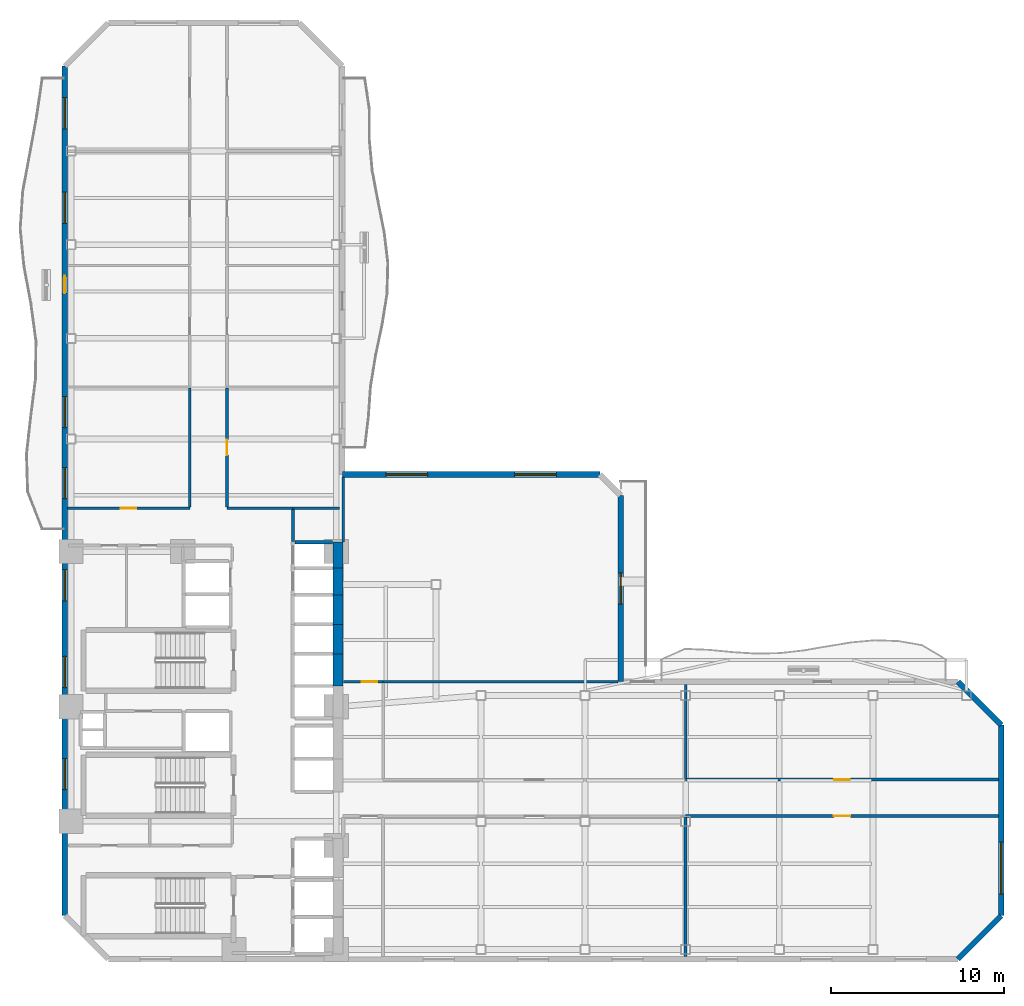
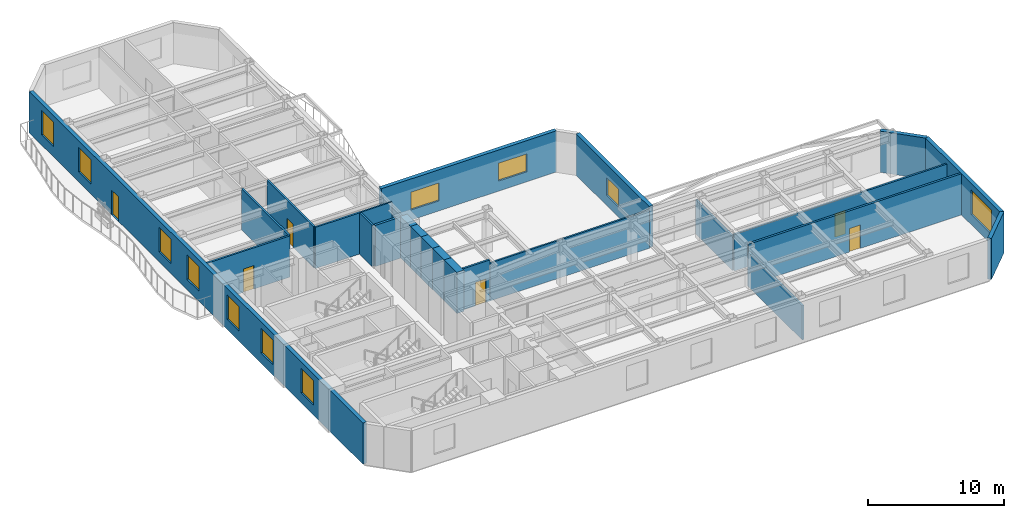
# One storey, part 5 of 10: 25 walls, 11 windows, 6 doors, 17 openings.
"""IFC4 building model written with IfcOpenShell, lengths in metres."""

from ifc_helpers import new_model, si_unit, direction, frame, frame_2d, origin, place, context, subcontext, project, spatial, rectangle, extrude, material, layer, layer_set, type_object, element, fill, save


model = new_model("IFC4")

# Units and contexts
model_context = context("Model", 3, precision=1e-05, world=origin(), true_north=direction((0.0, 1.0)))
body_context = subcontext(model_context, "Body", "Model", "MODEL_VIEW")
ifc_project = project(units=[si_unit("LENGTHUNIT", "METRE"), si_unit("AREAUNIT", "SQUARE_METRE"), si_unit("VOLUMEUNIT", "CUBIC_METRE"), si_unit("PLANEANGLEUNIT", "RADIAN"), si_unit("MASSUNIT", "GRAM", prefix="KILO")], contexts=[model_context])

# Site, building, storey
site_placement = place(None, origin())
site = spatial("IfcSite", under=ifc_project, at=site_placement, CompositionType="ELEMENT")
building_placement = place(site_placement, origin())
building = spatial("IfcBuilding", under=site, at=building_placement, Name="Mawjaban Terraces University", CompositionType="ELEMENT")
storey_placement = place(building_placement, frame((0.0, 0.0, 42.699951171875)))
storey = spatial("IfcBuildingStorey", under=building, at=storey_placement, Name="L09", CompositionType="ELEMENT", Elevation=42.699951171875)

# Wall, opening, door
ifc_material_1 = material(Name="Acoustic masonry blockwork", Category="masonry")
ifc_layer_1 = layer(ifc_material_1, 0.179931640625)
ifc_layer_set_1 = layer_set([ifc_layer_1], Name="Acoustic masonry blockwork")
wall_type_1 = type_object("IfcWallType", Name="AcousticStudioWall_180", PredefinedType="PARTITIONING", material=ifc_layer_set_1)
wall_1_placement = place(storey_placement, frame((57.800048828125, 8.25, 0.0), z_axis=(0.0, 0.0, 1.0), x_axis=(1.0, 0.0, 0.0)))
wall_1 = element("IfcWall", 1, at=wall_1_placement, inside=storey, type_object=wall_type_1, Name="L09 East Academic Spine Corridor Partition 23", PredefinedType="PARTITIONING", context=body_context, shape_type="SweptSolid", body=[
    extrude(rectangle(XDim=18.044921875, YDim=0.179931640625, at=frame_2d((9.0224609375, 0.0))), origin(), (0.0, 0.0, 1.0), 3.68994140625),
])
opening_1_placement = place(wall_1_placement, frame((8.548095703125, 0.0, 0.0)))
opening_1 = element("IfcOpeningElement", 2, at=opening_1_placement, cuts=wall_1, Name="Opening ID-095", PredefinedType="OPENING", context=body_context, shape_type="SweptSolid", body=[
    extrude(rectangle(XDim=0.949951171875, YDim=2.10009765625, at=frame_2d((0.47509765625, 1.050048828125))), frame((0.0, 0.099853515625, 0.0), z_axis=(0.0, -1.0, 0.0), x_axis=(1.0, 0.0, 0.0)), (0.0, 0.0, 1.0), 0.199951171875),
])
ifc_material_2 = material(Name="Powder-coated steel frame and solid acoustic timber leaf", Category="steel")
door_type_1 = type_object("IfcDoorType", Name="StudioDoor_950x2100", OperationType="NOTDEFINED", PredefinedType="DOOR", material=ifc_material_2)
door_1_placement = place(opening_1_placement, origin())
door_1 = element("IfcDoor", 3, at=door_1_placement, inside=storey, type_object=door_type_1, Name="L09 Design Studio 4 Door", OperationType="SINGLE_SWING_RIGHT", OverallHeight=2.10009765625, OverallWidth=0.949951171875, PredefinedType="DOOR", context=body_context, shape_type="SweptSolid", body=[
    extrude(rectangle(XDim=0.949951171875, YDim=2.10009765625, at=frame_2d((0.47509765625, 1.050048828125))), frame((0.0, 0.02490234375, 0.0), z_axis=(0.0, -1.0, 0.0), x_axis=(1.0, 0.0, 0.0)), (0.0, 0.0, 1.0), 0.050048828125),
])
fill(opening_1, door_1)

# Walls
wall_2_placement = place(storey_placement, frame((57.800048828125, 0.155029296875, 0.0), z_axis=(0.0, 0.0, 1.0), x_axis=(0.0, 1.0, 0.0)))
element("IfcWall", 4, at=wall_2_placement, inside=storey, type_object=wall_type_1, Name="L09 Computational Laboratory 2 Partition 45", PredefinedType="PARTITIONING", context=body_context, shape_type="SweptSolid", body=[
    extrude(rectangle(XDim=8.010009765625, YDim=0.179931640625, at=frame_2d((4.0048828125, 0.0))), origin(), (0.0, 0.0, 1.0), 3.054931640625),
])
ifc_material_3 = material(Name="Concrete C70/85", Category="concrete")
ifc_layer_2 = layer(ifc_material_3, 0.60009765625)
ifc_layer_set_2 = layer_set([ifc_layer_2], Name="Concrete C70/85")
wall_type_2 = type_object("IfcWallType", Name="CoreShearWall_600", PredefinedType="SHEAR", material=ifc_layer_set_2)
wall_3_placement = place(storey_placement, frame((37.75, 15.75, 0.0), z_axis=(0.0, 0.0, 1.0), x_axis=(0.0, 1.0, 0.0)))
element("IfcWall", 5, at=wall_3_placement, inside=storey, type_object=wall_type_2, Name="L09 Lift OL-2 Hoistway Wall East", PredefinedType="SHEAR", context=body_context, shape_type="SweptSolid", body=[
    extrude(rectangle(XDim=1.85009765625, YDim=0.60009765625, at=frame_2d((0.925048828125, 0.0))), origin(), (0.0, 0.0, 1.0), 3.68994140625),
])
for number, where, z_axis, x_axis, name in (
    (6, (37.75, 17.60009765625, 0.0), (0.0, 0.0, 1.0), (0.0, 1.0, 0.0), "L09 Lift PL-M1 Hoistway Wall East"),
    (7, (37.75, 19.300048828125, 0.0), (0.0, 0.0, 1.0), (0.0, 1.0, 0.0), "L09 Lift PL-M2 Hoistway Wall East"),
):
    element("IfcWall", number, at=place(storey_placement, frame(where, z_axis=z_axis, x_axis=x_axis)), inside=storey, type_object=wall_type_2, Name=name, PredefinedType="SHEAR", context=body_context, shape_type="SweptSolid", body=[
        extrude(rectangle(XDim=1.699951171875, YDim=0.60009765625, at=frame_2d((0.85009765625, 0.0))), origin(), (0.0, 0.0, 1.0), 3.68994140625),
    ])
wall_4_placement = place(storey_placement, frame((37.75, 21.0, 0.0), z_axis=(0.0, 0.0, 1.0), x_axis=(0.0, 1.0, 0.0)))
element("IfcWall", 8, at=wall_4_placement, inside=storey, type_object=wall_type_2, Name="L09 Lift PL-L1 Hoistway Wall East", PredefinedType="SHEAR", context=body_context, shape_type="SweptSolid", body=[
    extrude(rectangle(XDim=1.550048828125, YDim=0.60009765625, at=frame_2d((0.77490234375, 0.0))), origin(), (0.0, 0.0, 1.0), 3.68994140625),
])
wall_5_placement = place(storey_placement, frame((37.75, 22.550048828125, 0.0), z_axis=(0.0, 0.0, 1.0), x_axis=(0.0, 1.0, 0.0)))
element("IfcWall", 9, at=wall_5_placement, inside=storey, type_object=wall_type_2, Name="L09 Lift PL-L2 Hoistway Wall East", PredefinedType="SHEAR", context=body_context, shape_type="SweptSolid", body=[
    extrude(rectangle(XDim=1.5, YDim=0.60009765625, at=frame_2d((0.75, 0.0))), origin(), (0.0, 0.0, 1.0), 3.68994140625),
])

# Wall, opening, door
ifc_material_4 = material(Name="Fire-rated gypsum board on steel stud", Category="steel")
ifc_layer_3 = layer(ifc_material_4, 0.159912109375)
ifc_layer_set_3 = layer_set([ifc_layer_3], Name="Fire-rated gypsum board on steel stud")
wall_type_3 = type_object("IfcWallType", Name="CorridorPartition_160", PredefinedType="PARTITIONING", material=ifc_layer_set_3)
wall_6_placement = place(storey_placement, frame((29.199951171875, 26.0, 0.0), z_axis=(0.0, 0.0, 1.0), x_axis=(-1.0, 0.0, 0.0)))
wall_6 = element("IfcWall", 10, at=wall_6_placement, inside=storey, type_object=wall_type_3, Name="L09 North Core Cross-Corridor Partition 7", PredefinedType="PARTITIONING", context=body_context, shape_type="SweptSolid", body=[
    extrude(rectangle(XDim=7.044921875, YDim=0.159912109375, at=frame_2d((3.5224609375, 0.0))), origin(), (0.0, 0.0, 1.0), 3.68994140625),
])
opening_2_placement = place(wall_6_placement, frame((3.072021484375, 0.0, 0.0)))
opening_2 = element("IfcOpeningElement", 11, at=opening_2_placement, cuts=wall_6, Name="Opening ID-090", PredefinedType="OPENING", context=body_context, shape_type="SweptSolid", body=[
    extrude(rectangle(XDim=0.89990234375, YDim=2.10009765625, at=frame_2d((0.449951171875, 1.050048828125))), frame((0.0, 0.08984375, 0.0), z_axis=(0.0, -1.0, 0.0), x_axis=(1.0, 0.0, 0.0)), (0.0, 0.0, 1.0), 0.179931640625),
])
door_type_2 = type_object("IfcDoorType", Name="OfficeDoor_900x2100", OperationType="NOTDEFINED", PredefinedType="DOOR", material=ifc_material_2)
door_2_placement = place(opening_2_placement, origin())
door_2 = element("IfcDoor", 12, at=door_2_placement, inside=storey, type_object=door_type_2, Name="L09 Departmental Office 6 Door", OperationType="SINGLE_SWING_RIGHT", OverallHeight=2.10009765625, OverallWidth=0.89990234375, PredefinedType="DOOR", context=body_context, shape_type="SweptSolid", body=[
    extrude(rectangle(XDim=0.89990234375, YDim=2.10009765625, at=frame_2d((0.449951171875, 1.050048828125))), frame((0.0, 0.02490234375, 0.0), z_axis=(0.0, -1.0, 0.0), x_axis=(1.0, 0.0, 0.0)), (0.0, 0.0, 1.0), 0.050048828125),
])
fill(opening_2, door_2)

# Wall
wall_7_placement = place(storey_placement, frame((35.14990234375, 26.0, 0.0), z_axis=(0.0, 0.0, 1.0), x_axis=(-1.0, 0.0, 0.0)))
element("IfcWall", 13, at=wall_7_placement, inside=storey, type_object=wall_type_3, Name="L09 North Core Cross-Corridor Partition 14", PredefinedType="PARTITIONING", context=body_context, shape_type="SweptSolid", body=[
    extrude(rectangle(XDim=3.7998046875, YDim=0.159912109375, at=frame_2d((1.89990234375, 0.0))), origin(), (0.0, 0.0, 1.0), 3.68994140625),
])

# Wall, opening, door
wall_8_placement = place(storey_placement, frame((40.35009765625, 16.0, 0.0), z_axis=(0.0, 0.0, 1.0), x_axis=(-1.0, 0.0, 0.0)))
wall_8 = element("IfcWall", 14, at=wall_8_placement, inside=storey, type_object=wall_type_3, Name="L09 East Academic Corridor Vestibule Partition 22", PredefinedType="PARTITIONING", context=body_context, shape_type="SweptSolid", body=[
    extrude(rectangle(XDim=2.27001953125, YDim=0.159912109375, at=frame_2d((1.135009765625, 0.0))), origin(), (0.0, 0.0, 1.0), 3.68994140625),
])
opening_3_placement = place(wall_8_placement, frame((0.3349609375, 0.0, 0.0)))
opening_3 = element("IfcOpeningElement", 15, at=opening_3_placement, cuts=wall_8, Name="Opening ID-090", PredefinedType="OPENING", context=body_context, shape_type="SweptSolid", body=[
    extrude(rectangle(XDim=0.89990234375, YDim=2.10009765625, at=frame_2d((0.449951171875, 1.050048828125))), frame((0.0, 0.08984375, 0.0), z_axis=(0.0, -1.0, 0.0), x_axis=(1.0, 0.0, 0.0)), (0.0, 0.0, 1.0), 0.179931640625),
])
door_3_placement = place(opening_3_placement, origin())
door_3 = element("IfcDoor", 16, at=door_3_placement, inside=storey, type_object=door_type_2, Name="L09 Terrace Collaborative Study Room Door", OperationType="SINGLE_SWING_RIGHT", OverallHeight=2.10009765625, OverallWidth=0.89990234375, PredefinedType="DOOR", context=body_context, shape_type="SweptSolid", body=[
    extrude(rectangle(XDim=0.89990234375, YDim=2.10009765625, at=frame_2d((0.449951171875, 1.050048828125))), frame((0.0, 0.02490234375, 0.0), z_axis=(0.0, -1.0, 0.0), x_axis=(1.0, 0.0, 0.0)), (0.0, 0.0, 1.0), 0.050048828125),
])
fill(opening_3, door_3)

wall_9_placement = place(storey_placement, frame((75.844970703125, 10.35009765625, 0.0), z_axis=(0.0, 0.0, 1.0), x_axis=(-1.0, 0.0, 0.0)))
wall_9 = element("IfcWall", 17, at=wall_9_placement, inside=storey, type_object=wall_type_3, Name="L09 East Academic Spine Corridor Partition 25", PredefinedType="PARTITIONING", context=body_context, shape_type="SweptSolid", body=[
    extrude(rectangle(XDim=18.044921875, YDim=0.159912109375, at=frame_2d((9.0224609375, 0.0))), origin(), (0.0, 0.0, 1.0), 3.277099609375),
])
opening_4_placement = place(wall_9_placement, frame((8.572998046875, 0.0, 0.0)))
opening_4 = element("IfcOpeningElement", 18, at=opening_4_placement, cuts=wall_9, Name="Opening ID-090", PredefinedType="OPENING", context=body_context, shape_type="SweptSolid", body=[
    extrude(rectangle(XDim=0.89990234375, YDim=2.10009765625, at=frame_2d((0.449951171875, 1.050048828125))), frame((0.0, 0.08984375, 0.0), z_axis=(0.0, -1.0, 0.0), x_axis=(1.0, 0.0, 0.0)), (0.0, 0.0, 1.0), 0.179931640625),
])
door_4_placement = place(opening_4_placement, origin())
door_4 = element("IfcDoor", 19, at=door_4_placement, inside=storey, type_object=door_type_2, Name="L09 Faculty Office 5 Door", OperationType="SINGLE_SWING_LEFT", OverallHeight=2.10009765625, OverallWidth=0.89990234375, PredefinedType="DOOR", context=body_context, shape_type="SweptSolid", body=[
    extrude(rectangle(XDim=0.89990234375, YDim=2.10009765625, at=frame_2d((0.449951171875, 1.050048828125))), frame((0.0, 0.02490234375, 0.0), z_axis=(0.0, -1.0, 0.0), x_axis=(1.0, 0.0, 0.0)), (0.0, 0.0, 1.0), 0.050048828125),
])
fill(opening_4, door_4)

# Wall
wall_10_placement = place(storey_placement, frame((29.199951171875, 32.943115234375, 0.0), z_axis=(0.0, 0.0, 1.0), x_axis=(0.0, -1.0, 0.0)))
element("IfcWall", 20, at=wall_10_placement, inside=storey, type_object=wall_type_3, Name="L09 North Academic Spine Corridor Partition 30", PredefinedType="PARTITIONING", context=body_context, shape_type="SweptSolid", body=[
    extrude(rectangle(XDim=6.8681640625, YDim=0.159912109375, at=frame_2d((3.43408203125, 0.0))), origin(), (0.0, 0.0, 1.0), 3.68994140625),
])

# Wall, opening, door
wall_11_placement = place(storey_placement, frame((31.35009765625, 26.074951171875, 0.0), z_axis=(0.0, 0.0, 1.0), x_axis=(0.0, 1.0, 0.0)))
wall_11 = element("IfcWall", 21, at=wall_11_placement, inside=storey, type_object=wall_type_3, Name="L09 North Academic Spine Corridor Partition 34", PredefinedType="PARTITIONING", context=body_context, shape_type="SweptSolid", body=[
    extrude(rectangle(XDim=6.8681640625, YDim=0.159912109375, at=frame_2d((3.43408203125, 0.0))), origin(), (0.0, 0.0, 1.0), 3.68994140625),
])
opening_5_placement = place(wall_11_placement, frame((2.98388671875, 0.0, 0.0)))
opening_5 = element("IfcOpeningElement", 22, at=opening_5_placement, cuts=wall_11, Name="Opening ID-090", PredefinedType="OPENING", context=body_context, shape_type="SweptSolid", body=[
    extrude(rectangle(XDim=0.89990234375, YDim=2.10009765625, at=frame_2d((0.449951171875, 1.050048828125))), frame((0.0, 0.08984375, 0.0), z_axis=(0.0, -1.0, 0.0), x_axis=(1.0, 0.0, 0.0)), (0.0, 0.0, 1.0), 0.179931640625),
])
door_5_placement = place(opening_5_placement, origin())
door_5 = element("IfcDoor", 23, at=door_5_placement, inside=storey, type_object=door_type_2, Name="L09 Academic Workspace 7 Door", OperationType="SINGLE_SWING_LEFT", OverallHeight=2.10009765625, OverallWidth=0.89990234375, PredefinedType="DOOR", context=body_context, shape_type="SweptSolid", body=[
    extrude(rectangle(XDim=0.89990234375, YDim=2.10009765625, at=frame_2d((0.449951171875, 1.050048828125))), frame((0.0, 0.02490234375, 0.0), z_axis=(0.0, -1.0, 0.0), x_axis=(1.0, 0.0, 0.0)), (0.0, 0.0, 1.0), 0.050048828125),
])
fill(opening_5, door_5)

# Walls
wall_12_placement = place(storey_placement, frame((35.14990234375, 24.070068359375, 0.0), z_axis=(0.0, 0.0, 1.0), x_axis=(0.0, 1.0, 0.0)))
element("IfcWall", 24, at=wall_12_placement, inside=storey, type_object=wall_type_3, Name="L09 North Core Cross-Corridor Partition 40", PredefinedType="PARTITIONING", context=body_context, shape_type="SweptSolid", body=[
    extrude(rectangle(XDim=1.85498046875, YDim=0.159912109375, at=frame_2d((0.927490234375, 0.0))), origin(), (0.0, 0.0, 1.0), 3.68994140625),
])
ifc_material_5 = material(Name="Insulated terracotta rainscreen on concrete backup C40/50", Category="masonry")
ifc_layer_4 = layer(ifc_material_5, 0.320068359375)
ifc_layer_set_4 = layer_set([ifc_layer_4], Name="Insulated terracotta rainscreen on concrete backup C40/50")
wall_type_4 = type_object("IfcWallType", Name="ExtTerracottaWall_320", PredefinedType="SOLIDWALL", material=ifc_layer_set_4)
wall_13_placement = place(storey_placement, frame((73.5, 0.0, 0.0), z_axis=(0.0, 0.0, 1.0), x_axis=(0.707106781187, 0.707106781187, 0.0)))
element("IfcWall", 25, at=wall_13_placement, inside=storey, type_object=wall_type_4, Name="L09 Exterior Terracotta Wall 2", PredefinedType="SOLIDWALL", context=body_context, shape_type="SweptSolid", body=[
    extrude(rectangle(XDim=3.53564453125, YDim=0.320068359375, at=frame_2d((1.767822265625, 0.0))), origin(), (0.0, 0.0, 1.0), 3.68994140625),
])

# Wall, opening, window
wall_14_placement = place(storey_placement, frame((76.0, 2.5, 0.0), z_axis=(0.0, 0.0, 1.0), x_axis=(0.0, 1.0, 0.0)))
wall_14 = element("IfcWall", 26, at=wall_14_placement, inside=storey, type_object=wall_type_4, Name="L09 Exterior Terracotta Wall 3", PredefinedType="SOLIDWALL", context=body_context, shape_type="SweptSolid", body=[
    extrude(rectangle(XDim=11.0, YDim=0.320068359375, at=frame_2d((5.5, 0.0))), origin(), (0.0, 0.0, 1.0), 3.68994140625),
])
opening_6_placement = place(wall_14_placement, frame((1.25, 0.0, 0.89990234375)))
opening_6 = element("IfcOpeningElement", 27, at=opening_6_placement, cuts=wall_14, Name="Opening W-12", PredefinedType="OPENING", context=body_context, shape_type="SweptSolid", body=[
    extrude(rectangle(XDim=3.0, YDim=2.199951171875, at=frame_2d((1.5, 1.10009765625))), frame((0.0, 0.169921875, 0.0), z_axis=(0.0, -1.0, 0.0), x_axis=(1.0, 0.0, 0.0)), (0.0, 0.0, 1.0), 0.340087890625),
])
ifc_material_6 = material(Name="Low-E solar-control double glazing in thermally broken aluminium frame", Category="aluminium")
window_type_1 = type_object("IfcWindowType", Name="Win_3000x2200", PartitioningType="SINGLE_PANEL", PredefinedType="WINDOW", material=ifc_material_6)
window_1_placement = place(opening_6_placement, origin())
window_1 = element("IfcWindow", 28, at=window_1_placement, inside=storey, type_object=window_type_1, Name="L09 Facade Window 3.1", OverallHeight=2.199951171875, OverallWidth=3.0, PartitioningType="SINGLE_PANEL", PredefinedType="WINDOW", context=body_context, shape_type="SweptSolid", body=[
    extrude(rectangle(XDim=3.0, YDim=2.199951171875, at=frame_2d((1.5, 1.10009765625))), frame((0.0, 0.030029296875, 0.0), z_axis=(0.0, -1.0, 0.0), x_axis=(1.0, 0.0, 0.0)), (0.0, 0.0, 1.0), 0.06005859375),
])
fill(opening_6, window_1)

# Wall
wall_15_placement = place(storey_placement, frame((76.0, 13.5, 0.0), z_axis=(0.0, 0.0, 1.0), x_axis=(-0.707106781187, 0.707106781187, 0.0)))
element("IfcWall", 29, at=wall_15_placement, inside=storey, type_object=wall_type_4, Name="L09 Exterior Terracotta Wall 4", PredefinedType="SOLIDWALL", context=body_context, shape_type="SweptSolid", body=[
    extrude(rectangle(XDim=3.53564453125, YDim=0.320068359375, at=frame_2d((1.767822265625, 0.0))), origin(), (0.0, 0.0, 1.0), 3.68994140625),
])

# Wall, opening, window
wall_16_placement = place(storey_placement, frame((54.050048828125, 16.0, 0.0), z_axis=(0.0, 0.0, 1.0), x_axis=(0.0, 1.0, 0.0)))
wall_16 = element("IfcWall", 30, at=wall_16_placement, inside=storey, type_object=wall_type_4, Name="L09 Exterior Terracotta Wall 6", PredefinedType="SOLIDWALL", context=body_context, shape_type="SweptSolid", body=[
    extrude(rectangle(XDim=10.7470703125, YDim=0.320068359375, at=frame_2d((5.37353515625, 0.0))), origin(), (0.0, 0.0, 1.0), 3.68994140625),
])
opening_7_placement = place(wall_16_placement, frame((4.472900390625, 0.0, 0.89990234375)))
opening_7 = element("IfcOpeningElement", 31, at=opening_7_placement, cuts=wall_16, Name="Opening W-03", PredefinedType="OPENING", context=body_context, shape_type="SweptSolid", body=[
    extrude(rectangle(XDim=1.800048828125, YDim=1.60009765625, at=frame_2d((0.89990234375, 0.800048828125))), frame((0.0, 0.169921875, 0.0), z_axis=(0.0, -1.0, 0.0), x_axis=(1.0, 0.0, 0.0)), (0.0, 0.0, 1.0), 0.340087890625),
])
window_type_2 = type_object("IfcWindowType", Name="Win_1800x1600", PartitioningType="SINGLE_PANEL", PredefinedType="WINDOW", material=ifc_material_6)
window_2_placement = place(opening_7_placement, origin())
window_2 = element("IfcWindow", 32, at=window_2_placement, inside=storey, type_object=window_type_2, Name="L09 Facade Window 6.1", OverallHeight=1.60009765625, OverallWidth=1.800048828125, PartitioningType="SINGLE_PANEL", PredefinedType="WINDOW", context=body_context, shape_type="SweptSolid", body=[
    extrude(rectangle(XDim=1.800048828125, YDim=1.60009765625, at=frame_2d((0.89990234375, 0.800048828125))), frame((0.0, 0.030029296875, 0.0), z_axis=(0.0, -1.0, 0.0), x_axis=(1.0, 0.0, 0.0)), (0.0, 0.0, 1.0), 0.06005859375),
])
fill(opening_7, window_2)

# Wall, openings, windows
wall_17_placement = place(storey_placement, frame((52.85009765625, 27.947021484375, 0.0), z_axis=(0.0, 0.0, 1.0), x_axis=(-1.0, 0.0, 0.0)))
wall_17 = element("IfcWall", 33, at=wall_17_placement, inside=storey, type_object=wall_type_4, Name="L09 Exterior Terracotta Wall 8", PredefinedType="SOLIDWALL", context=body_context, shape_type="SweptSolid", body=[
    extrude(rectangle(XDim=14.85009765625, YDim=0.320068359375, at=frame_2d((7.425048828125, 0.0))), origin(), (0.0, 0.0, 1.0), 3.68994140625),
])
opening_8_placement = place(wall_17_placement, frame((2.512939453125, 0.0, 0.89990234375)))
opening_8 = element("IfcOpeningElement", 34, at=opening_8_placement, cuts=wall_17, Name="Opening W-05", PredefinedType="OPENING", context=body_context, shape_type="SweptSolid", body=[
    extrude(rectangle(XDim=2.39990234375, YDim=1.60009765625, at=frame_2d((1.199951171875, 0.800048828125))), frame((0.0, 0.169921875, 0.0), z_axis=(0.0, -1.0, 0.0), x_axis=(1.0, 0.0, 0.0)), (0.0, 0.0, 1.0), 0.340087890625),
])
opening_9_placement = place(wall_17_placement, frame((9.93798828125, 0.0, 0.89990234375)))
opening_9 = element("IfcOpeningElement", 35, at=opening_9_placement, cuts=wall_17, Name="Opening W-05", PredefinedType="OPENING", context=body_context, shape_type="SweptSolid", body=[
    extrude(rectangle(XDim=2.39990234375, YDim=1.60009765625, at=frame_2d((1.199951171875, 0.800048828125))), frame((0.0, 0.169921875, 0.0), z_axis=(0.0, -1.0, 0.0), x_axis=(1.0, 0.0, 0.0)), (0.0, 0.0, 1.0), 0.340087890625),
])
window_type_3 = type_object("IfcWindowType", Name="Win_2400x1600", PartitioningType="SINGLE_PANEL", PredefinedType="WINDOW", material=ifc_material_6)
window_3_placement = place(opening_8_placement, origin())
window_3 = element("IfcWindow", 36, at=window_3_placement, inside=storey, type_object=window_type_3, Name="L09 Facade Window 8.1", OverallHeight=1.60009765625, OverallWidth=2.39990234375, PartitioningType="SINGLE_PANEL", PredefinedType="WINDOW", context=body_context, shape_type="SweptSolid", body=[
    extrude(rectangle(XDim=2.39990234375, YDim=1.60009765625, at=frame_2d((1.199951171875, 0.800048828125))), frame((0.0, 0.030029296875, 0.0), z_axis=(0.0, -1.0, 0.0), x_axis=(1.0, 0.0, 0.0)), (0.0, 0.0, 1.0), 0.06005859375),
])
fill(opening_8, window_3)
window_4_placement = place(opening_9_placement, origin())
window_4 = element("IfcWindow", 37, at=window_4_placement, inside=storey, type_object=window_type_3, Name="L09 Facade Window 8.2", OverallHeight=1.60009765625, OverallWidth=2.39990234375, PartitioningType="SINGLE_PANEL", PredefinedType="WINDOW", context=body_context, shape_type="SweptSolid", body=[
    extrude(rectangle(XDim=2.39990234375, YDim=1.60009765625, at=frame_2d((1.199951171875, 0.800048828125))), frame((0.0, 0.030029296875, 0.0), z_axis=(0.0, -1.0, 0.0), x_axis=(1.0, 0.0, 0.0)), (0.0, 0.0, 1.0), 0.06005859375),
])
fill(opening_9, window_4)

# Wall, openings, door, windows
wall_18_placement = place(storey_placement, frame((22.0, 51.5, 0.0), z_axis=(0.0, 0.0, 1.0), x_axis=(0.0, -1.0, 0.0)))
wall_18 = element("IfcWall", 38, at=wall_18_placement, inside=storey, type_object=wall_type_4, Name="L09 Exterior Terracotta Wall 13", PredefinedType="SOLIDWALL", context=body_context, shape_type="SweptSolid", body=[
    extrude(rectangle(XDim=49.0, YDim=0.320068359375, at=frame_2d((24.5, 0.0))), origin(), (0.0, 0.0, 1.0), 3.68994140625),
])
opening_10_placement = place(wall_18_placement, frame((12.10009765625, 0.0, 0.0)))
opening_10 = element("IfcOpeningElement", 39, at=opening_10_placement, cuts=wall_18, Name="Opening BD-100", PredefinedType="OPENING", context=body_context, shape_type="SweptSolid", body=[
    extrude(rectangle(XDim=1.0, YDim=2.199951171875, at=frame_2d((0.5, 1.10009765625))), frame((0.0, 0.169921875, 0.0), z_axis=(0.0, -1.0, 0.0), x_axis=(1.0, 0.0, 0.0)), (0.0, 0.0, 1.0), 0.340087890625),
])
opening_11_placement = place(wall_18_placement, frame((1.822021484375, 0.0, 0.89990234375)))
opening_11 = element("IfcOpeningElement", 40, at=opening_11_placement, cuts=wall_18, Name="Opening W-10", PredefinedType="OPENING", context=body_context, shape_type="SweptSolid", body=[
    extrude(rectangle(XDim=1.800048828125, YDim=2.199951171875, at=frame_2d((0.89990234375, 1.10009765625))), frame((0.0, 0.169921875, 0.0), z_axis=(0.0, -1.0, 0.0), x_axis=(1.0, 0.0, 0.0)), (0.0, 0.0, 1.0), 0.340087890625),
])
opening_12_placement = place(wall_18_placement, frame((7.26708984375, 0.0, 0.89990234375)))
opening_12 = element("IfcOpeningElement", 41, at=opening_12_placement, cuts=wall_18, Name="Opening W-10", PredefinedType="OPENING", context=body_context, shape_type="SweptSolid", body=[
    extrude(rectangle(XDim=1.800048828125, YDim=2.199951171875, at=frame_2d((0.89990234375, 1.10009765625))), frame((0.0, 0.169921875, 0.0), z_axis=(0.0, -1.0, 0.0), x_axis=(1.0, 0.0, 0.0)), (0.0, 0.0, 1.0), 0.340087890625),
])
opening_13_placement = place(wall_18_placement, frame((19.055908203125, 0.0, 0.89990234375)))
opening_13 = element("IfcOpeningElement", 42, at=opening_13_placement, cuts=wall_18, Name="Opening W-10", PredefinedType="OPENING", context=body_context, shape_type="SweptSolid", body=[
    extrude(rectangle(XDim=1.800048828125, YDim=2.199951171875, at=frame_2d((0.89990234375, 1.10009765625))), frame((0.0, 0.169921875, 0.0), z_axis=(0.0, -1.0, 0.0), x_axis=(1.0, 0.0, 0.0)), (0.0, 0.0, 1.0), 0.340087890625),
])
opening_14_placement = place(wall_18_placement, frame((23.14990234375, 0.0, 0.89990234375)))
opening_14 = element("IfcOpeningElement", 43, at=opening_14_placement, cuts=wall_18, Name="Opening W-10", PredefinedType="OPENING", context=body_context, shape_type="SweptSolid", body=[
    extrude(rectangle(XDim=1.800048828125, YDim=2.199951171875, at=frame_2d((0.89990234375, 1.10009765625))), frame((0.0, 0.169921875, 0.0), z_axis=(0.0, -1.0, 0.0), x_axis=(1.0, 0.0, 0.0)), (0.0, 0.0, 1.0), 0.340087890625),
])
opening_15_placement = place(wall_18_placement, frame((29.0439453125, 0.0, 0.89990234375)))
opening_15 = element("IfcOpeningElement", 44, at=opening_15_placement, cuts=wall_18, Name="Opening W-10", PredefinedType="OPENING", context=body_context, shape_type="SweptSolid", body=[
    extrude(rectangle(XDim=1.800048828125, YDim=2.199951171875, at=frame_2d((0.89990234375, 1.10009765625))), frame((0.0, 0.169921875, 0.0), z_axis=(0.0, -1.0, 0.0), x_axis=(1.0, 0.0, 0.0)), (0.0, 0.0, 1.0), 0.340087890625),
])
opening_16_placement = place(wall_18_placement, frame((34.0390625, 0.0, 0.89990234375)))
opening_16 = element("IfcOpeningElement", 45, at=opening_16_placement, cuts=wall_18, Name="Opening W-10", PredefinedType="OPENING", context=body_context, shape_type="SweptSolid", body=[
    extrude(rectangle(XDim=1.800048828125, YDim=2.199951171875, at=frame_2d((0.89990234375, 1.10009765625))), frame((0.0, 0.169921875, 0.0), z_axis=(0.0, -1.0, 0.0), x_axis=(1.0, 0.0, 0.0)), (0.0, 0.0, 1.0), 0.340087890625),
])
opening_17_placement = place(wall_18_placement, frame((39.93310546875, 0.0, 0.89990234375)))
opening_17 = element("IfcOpeningElement", 46, at=opening_17_placement, cuts=wall_18, Name="Opening W-10", PredefinedType="OPENING", context=body_context, shape_type="SweptSolid", body=[
    extrude(rectangle(XDim=1.800048828125, YDim=2.199951171875, at=frame_2d((0.89990234375, 1.10009765625))), frame((0.0, 0.169921875, 0.0), z_axis=(0.0, -1.0, 0.0), x_axis=(1.0, 0.0, 0.0)), (0.0, 0.0, 1.0), 0.340087890625),
])
ifc_material_7 = material(Name="Thermally broken anodised aluminium and laminated safety glass", Category="aluminium")
door_type_3 = type_object("IfcDoorType", Name="BalconyGlazedDoor_1000x2200", OperationType="NOTDEFINED", PredefinedType="DOOR", material=ifc_material_7)
door_6_placement = place(opening_10_placement, origin())
door_6 = element("IfcDoor", 47, at=door_6_placement, inside=storey, type_object=door_type_3, Name="L09 Balcony Access Door west", OperationType="SINGLE_SWING_RIGHT", OverallHeight=2.199951171875, OverallWidth=1.0, PredefinedType="DOOR", context=body_context, shape_type="SweptSolid", body=[
    extrude(rectangle(XDim=1.0, YDim=2.199951171875, at=frame_2d((0.5, 1.10009765625))), frame((0.0, 0.02490234375, 0.0), z_axis=(0.0, -1.0, 0.0), x_axis=(1.0, 0.0, 0.0)), (0.0, 0.0, 1.0), 0.050048828125),
])
fill(opening_10, door_6)
window_type_4 = type_object("IfcWindowType", Name="Win_1800x2200", PartitioningType="SINGLE_PANEL", PredefinedType="WINDOW", material=ifc_material_6)
window_5_placement = place(opening_11_placement, origin())
window_5 = element("IfcWindow", 48, at=window_5_placement, inside=storey, type_object=window_type_4, Name="L09 Facade Window 13.1", OverallHeight=2.199951171875, OverallWidth=1.800048828125, PartitioningType="SINGLE_PANEL", PredefinedType="WINDOW", context=body_context, shape_type="SweptSolid", body=[
    extrude(rectangle(XDim=1.800048828125, YDim=2.199951171875, at=frame_2d((0.89990234375, 1.10009765625))), frame((0.0, 0.030029296875, 0.0), z_axis=(0.0, -1.0, 0.0), x_axis=(1.0, 0.0, 0.0)), (0.0, 0.0, 1.0), 0.06005859375),
])
fill(opening_11, window_5)
window_6_placement = place(opening_12_placement, origin())
window_6 = element("IfcWindow", 49, at=window_6_placement, inside=storey, type_object=window_type_4, Name="L09 Facade Window 13.2", OverallHeight=2.199951171875, OverallWidth=1.800048828125, PartitioningType="SINGLE_PANEL", PredefinedType="WINDOW", context=body_context, shape_type="SweptSolid", body=[
    extrude(rectangle(XDim=1.800048828125, YDim=2.199951171875, at=frame_2d((0.89990234375, 1.10009765625))), frame((0.0, 0.030029296875, 0.0), z_axis=(0.0, -1.0, 0.0), x_axis=(1.0, 0.0, 0.0)), (0.0, 0.0, 1.0), 0.06005859375),
])
fill(opening_12, window_6)
window_7_placement = place(opening_13_placement, origin())
window_7 = element("IfcWindow", 50, at=window_7_placement, inside=storey, type_object=window_type_4, Name="L09 Facade Window 13.4", OverallHeight=2.199951171875, OverallWidth=1.800048828125, PartitioningType="SINGLE_PANEL", PredefinedType="WINDOW", context=body_context, shape_type="SweptSolid", body=[
    extrude(rectangle(XDim=1.800048828125, YDim=2.199951171875, at=frame_2d((0.89990234375, 1.10009765625))), frame((0.0, 0.030029296875, 0.0), z_axis=(0.0, -1.0, 0.0), x_axis=(1.0, 0.0, 0.0)), (0.0, 0.0, 1.0), 0.06005859375),
])
fill(opening_13, window_7)
window_8_placement = place(opening_14_placement, origin())
window_8 = element("IfcWindow", 51, at=window_8_placement, inside=storey, type_object=window_type_4, Name="L09 Facade Window 13.5", OverallHeight=2.199951171875, OverallWidth=1.800048828125, PartitioningType="SINGLE_PANEL", PredefinedType="WINDOW", context=body_context, shape_type="SweptSolid", body=[
    extrude(rectangle(XDim=1.800048828125, YDim=2.199951171875, at=frame_2d((0.89990234375, 1.10009765625))), frame((0.0, 0.030029296875, 0.0), z_axis=(0.0, -1.0, 0.0), x_axis=(1.0, 0.0, 0.0)), (0.0, 0.0, 1.0), 0.06005859375),
])
fill(opening_14, window_8)
window_9_placement = place(opening_15_placement, origin())
window_9 = element("IfcWindow", 52, at=window_9_placement, inside=storey, type_object=window_type_4, Name="L09 Facade Window 13.6", OverallHeight=2.199951171875, OverallWidth=1.800048828125, PartitioningType="SINGLE_PANEL", PredefinedType="WINDOW", context=body_context, shape_type="SweptSolid", body=[
    extrude(rectangle(XDim=1.800048828125, YDim=2.199951171875, at=frame_2d((0.89990234375, 1.10009765625))), frame((0.0, 0.030029296875, 0.0), z_axis=(0.0, -1.0, 0.0), x_axis=(1.0, 0.0, 0.0)), (0.0, 0.0, 1.0), 0.06005859375),
])
fill(opening_15, window_9)
window_10_placement = place(opening_16_placement, origin())
window_10 = element("IfcWindow", 53, at=window_10_placement, inside=storey, type_object=window_type_4, Name="L09 Facade Window 13.7", OverallHeight=2.199951171875, OverallWidth=1.800048828125, PartitioningType="SINGLE_PANEL", PredefinedType="WINDOW", context=body_context, shape_type="SweptSolid", body=[
    extrude(rectangle(XDim=1.800048828125, YDim=2.199951171875, at=frame_2d((0.89990234375, 1.10009765625))), frame((0.0, 0.030029296875, 0.0), z_axis=(0.0, -1.0, 0.0), x_axis=(1.0, 0.0, 0.0)), (0.0, 0.0, 1.0), 0.06005859375),
])
fill(opening_16, window_10)
window_11_placement = place(opening_17_placement, origin())
window_11 = element("IfcWindow", 54, at=window_11_placement, inside=storey, type_object=window_type_4, Name="L09 Facade Window 13.8", OverallHeight=2.199951171875, OverallWidth=1.800048828125, PartitioningType="SINGLE_PANEL", PredefinedType="WINDOW", context=body_context, shape_type="SweptSolid", body=[
    extrude(rectangle(XDim=1.800048828125, YDim=2.199951171875, at=frame_2d((0.89990234375, 1.10009765625))), frame((0.0, 0.030029296875, 0.0), z_axis=(0.0, -1.0, 0.0), x_axis=(1.0, 0.0, 0.0)), (0.0, 0.0, 1.0), 0.06005859375),
])
fill(opening_17, window_11)

# Walls
ifc_material_8 = material(Name="Concrete C40/50", Category="concrete")
ifc_layer_5 = layer(ifc_material_8, 0.199951171875)
ifc_layer_set_5 = layer_set([ifc_layer_5], Name="Concrete C40/50")
wall_type_5 = type_object("IfcWallType", Name="FireLobbyWall_200", PredefinedType="SOLIDWALL", material=ifc_layer_set_5)
wall_19_placement = place(storey_placement, frame((37.419921875, 24.050048828125, 0.0), z_axis=(0.0, 0.0, 1.0), x_axis=(-1.0, 0.0, 0.0)))
element("IfcWall", 55, at=wall_19_placement, inside=storey, type_object=wall_type_5, Name="L09 Lift PL-L2 Hoistway Wall North", PredefinedType="SOLIDWALL", context=body_context, shape_type="SweptSolid", body=[
    extrude(rectangle(XDim=2.139892578125, YDim=0.199951171875, at=frame_2d((1.06982421875, 0.0))), origin(), (0.0, 0.0, 1.0), 3.68994140625),
])
ifc_material_9 = material(Name="Moisture-resistant gypsum board on steel stud", Category="steel")
ifc_layer_6 = layer(ifc_material_9, 0.14501953125)
ifc_layer_set_6 = layer_set([ifc_layer_6], Name="Moisture-resistant gypsum board on steel stud")
wall_type_6 = type_object("IfcWallType", Name="LabPartition_145", PredefinedType="PARTITIONING", material=ifc_layer_set_6)
wall_20_placement = place(storey_placement, frame((40.35009765625, 16.0, 0.0), z_axis=(0.0, 0.0, 1.0), x_axis=(1.0, 0.0, 0.0)))
element("IfcWall", 56, at=wall_20_placement, inside=storey, type_object=wall_type_6, Name="L09 Terrace Collaborative Study Room Partition 21", PredefinedType="PARTITIONING", context=body_context, shape_type="SweptSolid", body=[
    extrude(rectangle(XDim=13.544921875, YDim=0.14501953125, at=frame_2d((6.7724609375, 0.0))), origin(), (0.0, 0.0, 1.0), 3.39013671875),
])
wall_21_placement = place(storey_placement, frame((57.800048828125, 10.425048828125, 0.0), z_axis=(0.0, 0.0, 1.0), x_axis=(0.0, 1.0, 0.0)))
element("IfcWall", 57, at=wall_21_placement, inside=storey, type_object=wall_type_6, Name="L09 Teaching Laboratory 3 Partition 46", PredefinedType="PARTITIONING", context=body_context, shape_type="SweptSolid", body=[
    extrude(rectangle(XDim=5.419921875, YDim=0.14501953125, at=frame_2d((2.7099609375, 0.0))), origin(), (0.0, 0.0, 1.0), 3.054931640625),
])
ifc_material_10 = material(Name="Gypsum plasterboard on steel stud", Category="steel")
ifc_layer_7 = layer(ifc_material_10, 0.125)
ifc_layer_set_7 = layer_set([ifc_layer_7], Name="Gypsum plasterboard on steel stud")
wall_type_7 = type_object("IfcWallType", Name="OfficePartition_125", PredefinedType="PARTITIONING", material=ifc_layer_set_7)
wall_22_placement = place(storey_placement, frame((35.14990234375, 26.0, 0.0), z_axis=(0.0, 0.0, 1.0), x_axis=(1.0, 0.0, 0.0)))
element("IfcWall", 58, at=wall_22_placement, inside=storey, type_object=wall_type_7, Name="L09 Academic Workspace 7 Partition 15", PredefinedType="PARTITIONING", context=body_context, shape_type="SweptSolid", body=[
    extrude(rectangle(XDim=2.7001953125, YDim=0.125, at=frame_2d((1.35009765625, 0.0))), origin(), (0.0, 0.0, 1.0), 3.68994140625),
])
wall_23_placement = place(storey_placement, frame((38.050048828125, 27.7919921875, 0.0), z_axis=(0.0, 0.0, 1.0), x_axis=(0.0, -1.0, 0.0)))
element("IfcWall", 59, at=wall_23_placement, inside=storey, type_object=wall_type_7, Name="L09 Terrace Collaborative Study Room Partition 42", PredefinedType="PARTITIONING", context=body_context, shape_type="SweptSolid", body=[
    extrude(rectangle(XDim=3.741943359375, YDim=0.125, at=frame_2d((1.87109375, 0.0))), origin(), (0.0, 0.0, 1.0), 3.054931640625),
])

save(model, "model.ifc")
